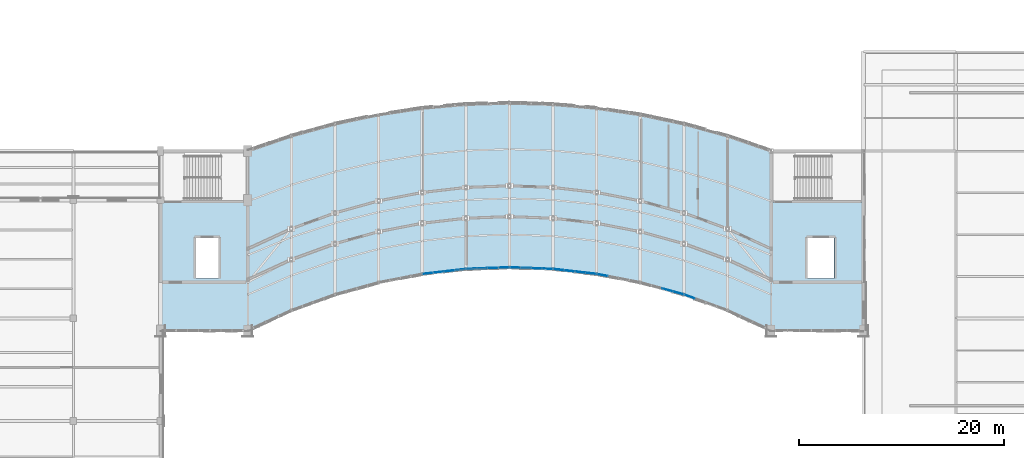
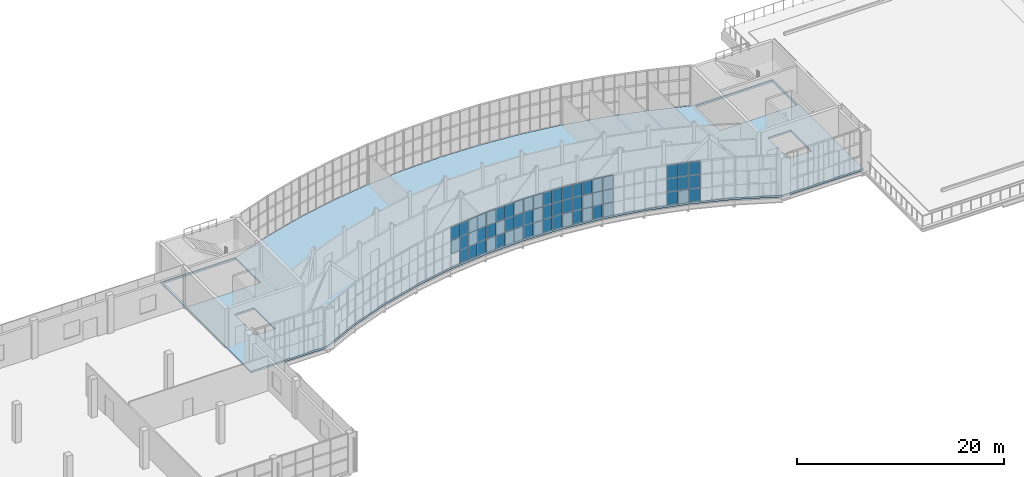
# One storey, part 43 of 66: 59 plates, 1 slab, 7 elements without a shape of their own.
"""IFC4 building model written with IfcOpenShell, lengths in metres."""

from ifc_helpers import new_model, si_unit, direction, frame, origin, origin_2d, place, context, subcontext, project, spatial, polyline, rectangle, outline, extrude, material, layer, layer_set, type_object, element, aggregate, save


model = new_model("IFC4")

# Units and contexts
model_context = context("Model", 3, precision=1e-05, world=origin(), true_north=direction((0.0, 1.0)))
body_context = subcontext(model_context, "Body", "Model", "MODEL_VIEW")
ifc_project = project(units=[si_unit("LENGTHUNIT", "METRE"), si_unit("AREAUNIT", "SQUARE_METRE"), si_unit("VOLUMEUNIT", "CUBIC_METRE"), si_unit("PLANEANGLEUNIT", "RADIAN"), si_unit("MASSUNIT", "GRAM", prefix="KILO")], contexts=[model_context])

# Site, building, storey
site_placement = place(None, origin())
site = spatial("IfcSite", under=ifc_project, at=site_placement, CompositionType="ELEMENT")
building_placement = place(site_placement, origin())
building = spatial("IfcBuilding", under=site, at=building_placement, Name="Solvikara Media Centre", CompositionType="ELEMENT")
storey_placement = place(building_placement, frame((0.0, 0.0, 19.800048828125)))
storey = spatial("IfcBuildingStorey", under=building, at=storey_placement, Name="L04", CompositionType="ELEMENT", Elevation=19.800048828125)

# Curtain wall, plates
ifc_material_1 = material(Name="Anodised aluminium EN AW-6063", Category="aluminium")
curtain_wall_type = type_object("IfcCurtainWallType", Name="CW-01", PredefinedType="NOTDEFINED", material=ifc_material_1)
curtain_wall_1_placement = place(storey_placement, origin())
curtain_wall_1 = element("IfcCurtainWall", 1, at=curtain_wall_1_placement, inside=storey, type_object=curtain_wall_type, Name="CW-L04-SARC-04", PredefinedType="NOTDEFINED")
ifc_material_2 = material(Name="Laminated solar-control cyan vision glass", Category="glass")
ifc_layer_1 = layer(ifc_material_2, 0.035888671875)
ifc_layer_set_1 = layer_set([ifc_layer_1], Name="Laminated solar-control cyan vision glass")
plate_type_1 = type_object("IfcPlateType", Name="PN-01", PredefinedType="CURTAIN_PANEL", material=ifc_layer_set_1)
plate_1_placement = place(storey_placement, frame((94.05810546875, 24.882080078125, 1.62158203125), z_axis=(0.0, 0.0, 1.0), x_axis=(0.993498545066, 0.113844810828, 0.0)))
plate_1 = element("IfcPlate", 2, at=plate_1_placement, type_object=plate_type_1, Name="CW-L04-SARC-04-P0001", PredefinedType="CURTAIN_PANEL", context=body_context, shape_type="SweptSolid", body=[
    extrude(rectangle(XDim=1.02197265625, YDim=0.035888671875, at=origin_2d()), origin(), (0.0, 0.0, 1.0), 1.556884765625),
])
plate_2_placement = place(storey_placement, frame((96.14794921875, 25.12109375, 1.62158203125), z_axis=(0.0, 0.0, 1.0), x_axis=(0.993498545066, 0.113844810828, 0.0)))
plate_2 = element("IfcPlate", 3, at=plate_2_placement, type_object=plate_type_1, Name="CW-L04-SARC-04-P0201", PredefinedType="CURTAIN_PANEL", context=body_context, shape_type="SweptSolid", body=[
    extrude(rectangle(XDim=1.02197265625, YDim=0.035888671875, at=origin_2d()), origin(), (0.0, 0.0, 1.0), 1.556884765625),
])

curtain_wall_2_placement = place(storey_placement, origin())
curtain_wall_2 = element("IfcCurtainWall", 4, at=curtain_wall_2_placement, inside=storey, type_object=curtain_wall_type, Name="CW-L04-SARC-05", PredefinedType="NOTDEFINED")
plate_3_placement = place(storey_placement, frame((100.39697265625, 25.406005859375, 0.03466796875), z_axis=(0.0, 0.0, 1.0), x_axis=(0.999268266619, 0.03824828529, 0.0)))
plate_3 = element("IfcPlate", 5, at=plate_3_placement, type_object=plate_type_1, Name="CW-L04-SARC-05-P0200", PredefinedType="CURTAIN_PANEL", context=body_context, shape_type="SweptSolid", body=[
    extrude(rectangle(XDim=1.01611328125, YDim=0.035888671875, at=origin_2d()), origin(), (0.0, 0.0, 1.0), 1.556884765625),
])
plate_4_placement = place(storey_placement, frame((100.39697265625, 25.406005859375, 1.62158203125), z_axis=(0.0, 0.0, 1.0), x_axis=(0.999268266619, 0.03824828529, 0.0)))
plate_4 = element("IfcPlate", 6, at=plate_4_placement, type_object=plate_type_1, Name="CW-L04-SARC-05-P0201", PredefinedType="CURTAIN_PANEL", context=body_context, shape_type="SweptSolid", body=[
    extrude(rectangle(XDim=1.01611328125, YDim=0.035888671875, at=origin_2d()), origin(), (0.0, 0.0, 1.0), 1.556884765625),
])
plate_5_placement = place(storey_placement, frame((100.39697265625, 25.406005859375, 3.20849609375), z_axis=(0.0, 0.0, 1.0), x_axis=(0.999268266619, 0.03824828529, 0.0)))
plate_5 = element("IfcPlate", 7, at=plate_5_placement, type_object=plate_type_1, Name="CW-L04-SARC-05-P0202", PredefinedType="CURTAIN_PANEL", context=body_context, shape_type="SweptSolid", body=[
    extrude(rectangle(XDim=1.01611328125, YDim=0.035888671875, at=origin_2d()), origin(), (0.0, 0.0, 1.0), 1.556884765625),
])
plate_6_placement = place(storey_placement, frame((101.44189453125, 25.446044921875, 3.20849609375), z_axis=(0.0, 0.0, 1.0), x_axis=(0.999268266619, 0.03824828529, 0.0)))
plate_6 = element("IfcPlate", 8, at=plate_6_placement, type_object=plate_type_1, Name="CW-L04-SARC-05-P0302", PredefinedType="CURTAIN_PANEL", context=body_context, shape_type="SweptSolid", body=[
    extrude(rectangle(XDim=1.01611328125, YDim=0.035888671875, at=origin_2d()), origin(), (0.0, 0.0, 1.0), 1.556884765625),
])

curtain_wall_3_placement = place(storey_placement, origin())
curtain_wall_3 = element("IfcCurtainWall", 9, at=curtain_wall_3_placement, inside=storey, type_object=curtain_wall_type, Name="CW-L04-SARC-06", PredefinedType="NOTDEFINED")
plate_7_placement = place(storey_placement, frame((102.55810546875, 25.446044921875, 3.20849609375), z_axis=(0.0, 0.0, 1.0), x_axis=(0.999268266619, -0.03824828529, 0.0)))
plate_7 = element("IfcPlate", 10, at=plate_7_placement, type_object=plate_type_1, Name="CW-L04-SARC-06-P0002", PredefinedType="CURTAIN_PANEL", context=body_context, shape_type="SweptSolid", body=[
    extrude(rectangle(XDim=1.01611328125, YDim=0.035888671875, at=origin_2d()), origin(), (0.0, 0.0, 1.0), 1.556884765625),
])
plate_8_placement = place(storey_placement, frame((104.64697265625, 25.365966796875, 3.20849609375), z_axis=(0.0, 0.0, 1.0), x_axis=(0.999268266619, -0.03824828529, 0.0)))
plate_8 = element("IfcPlate", 11, at=plate_8_placement, type_object=plate_type_1, Name="CW-L04-SARC-06-P0202", PredefinedType="CURTAIN_PANEL", context=body_context, shape_type="SweptSolid", body=[
    extrude(rectangle(XDim=1.01611328125, YDim=0.035888671875, at=origin_2d()), origin(), (0.0, 0.0, 1.0), 1.556884765625),
])
plate_9_placement = place(storey_placement, frame((105.69189453125, 25.325927734375, 1.62158203125), z_axis=(0.0, 0.0, 1.0), x_axis=(0.999268266619, -0.03824828529, 0.0)))
plate_9 = element("IfcPlate", 12, at=plate_9_placement, type_object=plate_type_1, Name="CW-L04-SARC-06-P0301", PredefinedType="CURTAIN_PANEL", context=body_context, shape_type="SweptSolid", body=[
    extrude(rectangle(XDim=1.01611328125, YDim=0.035888671875, at=origin_2d()), origin(), (0.0, 0.0, 1.0), 1.556884765625),
])

curtain_wall_4_placement = place(storey_placement, origin())
curtain_wall_4 = element("IfcCurtainWall", 13, at=curtain_wall_4_placement, inside=storey, type_object=curtain_wall_type, Name="CW-L04-SARC-07", PredefinedType="NOTDEFINED")
plate_10_placement = place(storey_placement, frame((106.80810546875, 25.240966796875, 0.03466796875), z_axis=(0.0, 0.0, 1.0), x_axis=(0.993498545066, -0.113844810828, 0.0)))
plate_10 = element("IfcPlate", 14, at=plate_10_placement, type_object=plate_type_1, Name="CW-L04-SARC-07-P0000", PredefinedType="CURTAIN_PANEL", context=body_context, shape_type="SweptSolid", body=[
    extrude(rectangle(XDim=1.02197265625, YDim=0.035888671875, at=origin_2d()), origin(), (0.0, 0.0, 1.0), 1.556884765625),
])
plate_11_placement = place(storey_placement, frame((107.85302734375, 25.12109375, 0.03466796875), z_axis=(0.0, 0.0, 1.0), x_axis=(0.993498545066, -0.113844810828, 0.0)))
plate_11 = element("IfcPlate", 15, at=plate_11_placement, type_object=plate_type_1, Name="CW-L04-SARC-07-P0100", PredefinedType="CURTAIN_PANEL", context=body_context, shape_type="SweptSolid", body=[
    extrude(rectangle(XDim=1.02197265625, YDim=0.035888671875, at=origin_2d()), origin(), (0.0, 0.0, 1.0), 1.556884765625),
])
plate_12_placement = place(storey_placement, frame((108.89794921875, 25.001953125, 3.20849609375), z_axis=(0.0, 0.0, 1.0), x_axis=(0.993498545066, -0.113844810828, 0.0)))
plate_12 = element("IfcPlate", 16, at=plate_12_placement, type_object=plate_type_1, Name="CW-L04-SARC-07-P0202", PredefinedType="CURTAIN_PANEL", context=body_context, shape_type="SweptSolid", body=[
    extrude(rectangle(XDim=1.02197265625, YDim=0.035888671875, at=origin_2d()), origin(), (0.0, 0.0, 1.0), 1.556884765625),
])
plate_13_placement = place(storey_placement, frame((109.94189453125, 24.882080078125, 0.03466796875), z_axis=(0.0, 0.0, 1.0), x_axis=(0.993498545066, -0.113844810828, 0.0)))
plate_13 = element("IfcPlate", 17, at=plate_13_placement, type_object=plate_type_1, Name="CW-L04-SARC-07-P0300", PredefinedType="CURTAIN_PANEL", context=body_context, shape_type="SweptSolid", body=[
    extrude(rectangle(XDim=1.02197265625, YDim=0.035888671875, at=origin_2d()), origin(), (0.0, 0.0, 1.0), 1.556884765625),
])
plate_14_placement = place(storey_placement, frame((109.94189453125, 24.882080078125, 3.20849609375), z_axis=(0.0, 0.0, 1.0), x_axis=(0.993498545066, -0.113844810828, 0.0)))
plate_14 = element("IfcPlate", 18, at=plate_14_placement, type_object=plate_type_1, Name="CW-L04-SARC-07-P0302", PredefinedType="CURTAIN_PANEL", context=body_context, shape_type="SweptSolid", body=[
    extrude(rectangle(XDim=1.02197265625, YDim=0.035888671875, at=origin_2d()), origin(), (0.0, 0.0, 1.0), 1.556884765625),
])

curtain_wall_5_placement = place(storey_placement, origin())
curtain_wall_5 = element("IfcCurtainWall", 19, at=curtain_wall_5_placement, inside=storey, type_object=curtain_wall_type, Name="CW-L04-SARC-08", PredefinedType="NOTDEFINED")
plate_15_placement = place(storey_placement, frame((111.055908203125, 24.7099609375, 0.03466796875), z_axis=(0.0, 0.0, 1.0), x_axis=(0.981843017659, -0.189695252114, 0.0)))
plate_15 = element("IfcPlate", 20, at=plate_15_placement, type_object=plate_type_1, Name="CW-L04-SARC-08-P0000", PredefinedType="CURTAIN_PANEL", context=body_context, shape_type="SweptSolid", body=[
    extrude(rectangle(XDim=1.034912109375, YDim=0.035888671875, at=origin_2d()), origin(), (0.0, 0.0, 1.0), 1.556884765625),
])
plate_16_placement = place(storey_placement, frame((111.055908203125, 24.7099609375, 3.20849609375), z_axis=(0.0, 0.0, 1.0), x_axis=(0.981843017659, -0.189695252114, 0.0)))
plate_16 = element("IfcPlate", 21, at=plate_16_placement, type_object=plate_type_1, Name="CW-L04-SARC-08-P0002", PredefinedType="CURTAIN_PANEL", context=body_context, shape_type="SweptSolid", body=[
    extrude(rectangle(XDim=1.034912109375, YDim=0.035888671875, at=origin_2d()), origin(), (0.0, 0.0, 1.0), 1.556884765625),
])

curtain_wall_6_placement = place(storey_placement, origin())
curtain_wall_6 = element("IfcCurtainWall", 22, at=curtain_wall_6_placement, inside=storey, type_object=curtain_wall_type, Name="CW-L04-SARC-09", PredefinedType="NOTDEFINED")
plate_17_placement = place(storey_placement, frame((117.39697265625, 23.26611328125, 3.20849609375), z_axis=(0.0, 0.0, 1.0), x_axis=(0.96397015682, -0.26601040724, 0.0)))
plate_17 = element("IfcPlate", 23, at=plate_17_placement, type_object=plate_type_1, Name="CW-L04-SARC-09-P0202", PredefinedType="CURTAIN_PANEL", context=body_context, shape_type="SweptSolid", body=[
    extrude(rectangle(XDim=1.054931640625, YDim=0.035888671875, at=origin_2d()), origin(), (0.0, 0.0, 1.0), 1.556884765625),
])
plate_18_placement = place(storey_placement, frame((118.443115234375, 22.97705078125, 0.03466796875), z_axis=(0.0, 0.0, 1.0), x_axis=(0.96397015682, -0.26601040724, 0.0)))
plate_18 = element("IfcPlate", 24, at=plate_18_placement, type_object=plate_type_1, Name="CW-L04-SARC-09-P0300", PredefinedType="CURTAIN_PANEL", context=body_context, shape_type="SweptSolid", body=[
    extrude(rectangle(XDim=1.054931640625, YDim=0.035888671875, at=origin_2d()), origin(), (0.0, 0.0, 1.0), 1.556884765625),
])
plate_19_placement = place(storey_placement, frame((118.443115234375, 22.97705078125, 1.62158203125), z_axis=(0.0, 0.0, 1.0), x_axis=(0.96397015682, -0.26601040724, 0.0)))
plate_19 = element("IfcPlate", 25, at=plate_19_placement, type_object=plate_type_1, Name="CW-L04-SARC-09-P0301", PredefinedType="CURTAIN_PANEL", context=body_context, shape_type="SweptSolid", body=[
    extrude(rectangle(XDim=1.054931640625, YDim=0.035888671875, at=origin_2d()), origin(), (0.0, 0.0, 1.0), 1.556884765625),
])

# Curtain wall, plate
curtain_wall_7_placement = place(storey_placement, origin())
curtain_wall_7 = element("IfcCurtainWall", 26, at=curtain_wall_7_placement, inside=storey, type_object=curtain_wall_type, Name="CW-L04-SARC-10", PredefinedType="NOTDEFINED")
plate_20_placement = place(storey_placement, frame((119.555908203125, 22.6220703125, 1.62158203125), z_axis=(0.0, 0.0, 1.0), x_axis=(0.939823877818, -0.341659302058, 0.0)))
plate_20 = element("IfcPlate", 27, at=plate_20_placement, type_object=plate_type_1, Name="CW-L04-SARC-10-P0001", PredefinedType="CURTAIN_PANEL", context=body_context, shape_type="SweptSolid", body=[
    extrude(rectangle(XDim=1.0830078125, YDim=0.035888671875, at=origin_2d()), origin(), (0.0, 0.0, 1.0), 1.556884765625),
])

# Plate
ifc_material_3 = material(Name="Ceramic-fritted teal low-E glass", Category="glass")
ifc_layer_2 = layer(ifc_material_3, 0.0419921875)
ifc_layer_set_2 = layer_set([ifc_layer_2], Name="Ceramic-fritted teal low-E glass")
plate_type_2 = type_object("IfcPlateType", Name="PN-02", PredefinedType="CURTAIN_PANEL", material=ifc_layer_set_2)
plate_21_placement = place(storey_placement, frame((94.05810546875, 24.882080078125, 3.20849609375), z_axis=(0.0, 0.0, 1.0), x_axis=(0.993498545066, 0.113844810828, 0.0)))
plate_21 = element("IfcPlate", 28, at=plate_21_placement, type_object=plate_type_2, Name="CW-L04-SARC-04-P0002", PredefinedType="CURTAIN_PANEL", context=body_context, shape_type="SweptSolid", body=[
    extrude(rectangle(XDim=1.02197265625, YDim=0.0419921875, at=origin_2d()), origin(), (0.0, 0.0, 1.0), 1.556884765625),
])

plate_22_placement = place(storey_placement, frame((95.10302734375, 25.001953125, 0.03466796875), z_axis=(0.0, 0.0, 1.0), x_axis=(0.993498545066, 0.113844810828, 0.0)))
plate_22 = element("IfcPlate", 29, at=plate_22_placement, type_object=plate_type_2, Name="CW-L04-SARC-04-P0100", PredefinedType="CURTAIN_PANEL", context=body_context, shape_type="SweptSolid", body=[
    extrude(rectangle(XDim=1.02197265625, YDim=0.0419921875, at=origin_2d()), origin(), (0.0, 0.0, 1.0), 1.556884765625),
])

plate_23_placement = place(storey_placement, frame((95.10302734375, 25.001953125, 1.62158203125), z_axis=(0.0, 0.0, 1.0), x_axis=(0.993498545066, 0.113844810828, 0.0)))
plate_23 = element("IfcPlate", 30, at=plate_23_placement, type_object=plate_type_2, Name="CW-L04-SARC-04-P0101", PredefinedType="CURTAIN_PANEL", context=body_context, shape_type="SweptSolid", body=[
    extrude(rectangle(XDim=1.02197265625, YDim=0.0419921875, at=origin_2d()), origin(), (0.0, 0.0, 1.0), 1.556884765625),
])

plate_24_placement = place(storey_placement, frame((95.10302734375, 25.001953125, 3.20849609375), z_axis=(0.0, 0.0, 1.0), x_axis=(0.993498545066, 0.113844810828, 0.0)))
plate_24 = element("IfcPlate", 31, at=plate_24_placement, type_object=plate_type_2, Name="CW-L04-SARC-04-P0102", PredefinedType="CURTAIN_PANEL", context=body_context, shape_type="SweptSolid", body=[
    extrude(rectangle(XDim=1.02197265625, YDim=0.0419921875, at=origin_2d()), origin(), (0.0, 0.0, 1.0), 1.556884765625),
])

plate_25_placement = place(storey_placement, frame((96.14794921875, 25.12109375, 3.20849609375), z_axis=(0.0, 0.0, 1.0), x_axis=(0.993498545066, 0.113844810828, 0.0)))
plate_25 = element("IfcPlate", 32, at=plate_25_placement, type_object=plate_type_2, Name="CW-L04-SARC-04-P0202", PredefinedType="CURTAIN_PANEL", context=body_context, shape_type="SweptSolid", body=[
    extrude(rectangle(XDim=1.02197265625, YDim=0.0419921875, at=origin_2d()), origin(), (0.0, 0.0, 1.0), 1.556884765625),
])

plate_26_placement = place(storey_placement, frame((97.19189453125, 25.240966796875, 0.03466796875), z_axis=(0.0, 0.0, 1.0), x_axis=(0.993498545066, 0.113844810828, 0.0)))
plate_26 = element("IfcPlate", 33, at=plate_26_placement, type_object=plate_type_2, Name="CW-L04-SARC-04-P0300", PredefinedType="CURTAIN_PANEL", context=body_context, shape_type="SweptSolid", body=[
    extrude(rectangle(XDim=1.02197265625, YDim=0.0419921875, at=origin_2d()), origin(), (0.0, 0.0, 1.0), 1.556884765625),
])

plate_27_placement = place(storey_placement, frame((97.19189453125, 25.240966796875, 1.62158203125), z_axis=(0.0, 0.0, 1.0), x_axis=(0.993498545066, 0.113844810828, 0.0)))
plate_27 = element("IfcPlate", 34, at=plate_27_placement, type_object=plate_type_2, Name="CW-L04-SARC-04-P0301", PredefinedType="CURTAIN_PANEL", context=body_context, shape_type="SweptSolid", body=[
    extrude(rectangle(XDim=1.02197265625, YDim=0.0419921875, at=origin_2d()), origin(), (0.0, 0.0, 1.0), 1.556884765625),
])

plate_28_placement = place(storey_placement, frame((97.19189453125, 25.240966796875, 3.20849609375), z_axis=(0.0, 0.0, 1.0), x_axis=(0.993498545066, 0.113844810828, 0.0)))
plate_28 = element("IfcPlate", 35, at=plate_28_placement, type_object=plate_type_2, Name="CW-L04-SARC-04-P0302", PredefinedType="CURTAIN_PANEL", context=body_context, shape_type="SweptSolid", body=[
    extrude(rectangle(XDim=1.02197265625, YDim=0.0419921875, at=origin_2d()), origin(), (0.0, 0.0, 1.0), 1.556884765625),
])

plate_29_placement = place(storey_placement, frame((98.30810546875, 25.325927734375, 1.62158203125), z_axis=(0.0, 0.0, 1.0), x_axis=(0.999268266619, 0.03824828529, 0.0)))
plate_29 = element("IfcPlate", 36, at=plate_29_placement, type_object=plate_type_2, Name="CW-L04-SARC-05-P0001", PredefinedType="CURTAIN_PANEL", context=body_context, shape_type="SweptSolid", body=[
    extrude(rectangle(XDim=1.01611328125, YDim=0.0419921875, at=origin_2d()), origin(), (0.0, 0.0, 1.0), 1.556884765625),
])

plate_30_placement = place(storey_placement, frame((98.30810546875, 25.325927734375, 3.20849609375), z_axis=(0.0, 0.0, 1.0), x_axis=(0.999268266619, 0.03824828529, 0.0)))
plate_30 = element("IfcPlate", 37, at=plate_30_placement, type_object=plate_type_2, Name="CW-L04-SARC-05-P0002", PredefinedType="CURTAIN_PANEL", context=body_context, shape_type="SweptSolid", body=[
    extrude(rectangle(XDim=1.01611328125, YDim=0.0419921875, at=origin_2d()), origin(), (0.0, 0.0, 1.0), 1.556884765625),
])

plate_31_placement = place(storey_placement, frame((99.35302734375, 25.365966796875, 1.62158203125), z_axis=(0.0, 0.0, 1.0), x_axis=(0.999268266619, 0.03824828529, 0.0)))
plate_31 = element("IfcPlate", 38, at=plate_31_placement, type_object=plate_type_2, Name="CW-L04-SARC-05-P0101", PredefinedType="CURTAIN_PANEL", context=body_context, shape_type="SweptSolid", body=[
    extrude(rectangle(XDim=1.01611328125, YDim=0.0419921875, at=origin_2d()), origin(), (0.0, 0.0, 1.0), 1.556884765625),
])

plate_32_placement = place(storey_placement, frame((99.35302734375, 25.365966796875, 3.20849609375), z_axis=(0.0, 0.0, 1.0), x_axis=(0.999268266619, 0.03824828529, 0.0)))
plate_32 = element("IfcPlate", 39, at=plate_32_placement, type_object=plate_type_2, Name="CW-L04-SARC-05-P0102", PredefinedType="CURTAIN_PANEL", context=body_context, shape_type="SweptSolid", body=[
    extrude(rectangle(XDim=1.01611328125, YDim=0.0419921875, at=origin_2d()), origin(), (0.0, 0.0, 1.0), 1.556884765625),
])

plate_33_placement = place(storey_placement, frame((101.44189453125, 25.446044921875, 0.03466796875), z_axis=(0.0, 0.0, 1.0), x_axis=(0.999268266619, 0.03824828529, 0.0)))
plate_33 = element("IfcPlate", 40, at=plate_33_placement, type_object=plate_type_2, Name="CW-L04-SARC-05-P0300", PredefinedType="CURTAIN_PANEL", context=body_context, shape_type="SweptSolid", body=[
    extrude(rectangle(XDim=1.01611328125, YDim=0.0419921875, at=origin_2d()), origin(), (0.0, 0.0, 1.0), 1.556884765625),
])

plate_34_placement = place(storey_placement, frame((101.44189453125, 25.446044921875, 1.62158203125), z_axis=(0.0, 0.0, 1.0), x_axis=(0.999268266619, 0.03824828529, 0.0)))
plate_34 = element("IfcPlate", 41, at=plate_34_placement, type_object=plate_type_2, Name="CW-L04-SARC-05-P0301", PredefinedType="CURTAIN_PANEL", context=body_context, shape_type="SweptSolid", body=[
    extrude(rectangle(XDim=1.01611328125, YDim=0.0419921875, at=origin_2d()), origin(), (0.0, 0.0, 1.0), 1.556884765625),
])

plate_35_placement = place(storey_placement, frame((102.55810546875, 25.446044921875, 0.03466796875), z_axis=(0.0, 0.0, 1.0), x_axis=(0.999268266619, -0.03824828529, 0.0)))
plate_35 = element("IfcPlate", 42, at=plate_35_placement, type_object=plate_type_2, Name="CW-L04-SARC-06-P0000", PredefinedType="CURTAIN_PANEL", context=body_context, shape_type="SweptSolid", body=[
    extrude(rectangle(XDim=1.01611328125, YDim=0.0419921875, at=origin_2d()), origin(), (0.0, 0.0, 1.0), 1.556884765625),
])

plate_36_placement = place(storey_placement, frame((102.55810546875, 25.446044921875, 1.62158203125), z_axis=(0.0, 0.0, 1.0), x_axis=(0.999268266619, -0.03824828529, 0.0)))
plate_36 = element("IfcPlate", 43, at=plate_36_placement, type_object=plate_type_2, Name="CW-L04-SARC-06-P0001", PredefinedType="CURTAIN_PANEL", context=body_context, shape_type="SweptSolid", body=[
    extrude(rectangle(XDim=1.01611328125, YDim=0.0419921875, at=origin_2d()), origin(), (0.0, 0.0, 1.0), 1.556884765625),
])

plate_37_placement = place(storey_placement, frame((103.60302734375, 25.406005859375, 0.03466796875), z_axis=(0.0, 0.0, 1.0), x_axis=(0.999268266619, -0.03824828529, 0.0)))
plate_37 = element("IfcPlate", 44, at=plate_37_placement, type_object=plate_type_2, Name="CW-L04-SARC-06-P0100", PredefinedType="CURTAIN_PANEL", context=body_context, shape_type="SweptSolid", body=[
    extrude(rectangle(XDim=1.01611328125, YDim=0.0419921875, at=origin_2d()), origin(), (0.0, 0.0, 1.0), 1.556884765625),
])

plate_38_placement = place(storey_placement, frame((103.60302734375, 25.406005859375, 3.20849609375), z_axis=(0.0, 0.0, 1.0), x_axis=(0.999268266619, -0.03824828529, 0.0)))
plate_38 = element("IfcPlate", 45, at=plate_38_placement, type_object=plate_type_2, Name="CW-L04-SARC-06-P0102", PredefinedType="CURTAIN_PANEL", context=body_context, shape_type="SweptSolid", body=[
    extrude(rectangle(XDim=1.01611328125, YDim=0.0419921875, at=origin_2d()), origin(), (0.0, 0.0, 1.0), 1.556884765625),
])

plate_39_placement = place(storey_placement, frame((104.64697265625, 25.365966796875, 0.03466796875), z_axis=(0.0, 0.0, 1.0), x_axis=(0.999268266619, -0.03824828529, 0.0)))
plate_39 = element("IfcPlate", 46, at=plate_39_placement, type_object=plate_type_2, Name="CW-L04-SARC-06-P0200", PredefinedType="CURTAIN_PANEL", context=body_context, shape_type="SweptSolid", body=[
    extrude(rectangle(XDim=1.01611328125, YDim=0.0419921875, at=origin_2d()), origin(), (0.0, 0.0, 1.0), 1.556884765625),
])

plate_40_placement = place(storey_placement, frame((104.64697265625, 25.365966796875, 1.62158203125), z_axis=(0.0, 0.0, 1.0), x_axis=(0.999268266619, -0.03824828529, 0.0)))
plate_40 = element("IfcPlate", 47, at=plate_40_placement, type_object=plate_type_2, Name="CW-L04-SARC-06-P0201", PredefinedType="CURTAIN_PANEL", context=body_context, shape_type="SweptSolid", body=[
    extrude(rectangle(XDim=1.01611328125, YDim=0.0419921875, at=origin_2d()), origin(), (0.0, 0.0, 1.0), 1.556884765625),
])

plate_41_placement = place(storey_placement, frame((105.69189453125, 25.325927734375, 0.03466796875), z_axis=(0.0, 0.0, 1.0), x_axis=(0.999268266619, -0.03824828529, 0.0)))
plate_41 = element("IfcPlate", 48, at=plate_41_placement, type_object=plate_type_2, Name="CW-L04-SARC-06-P0300", PredefinedType="CURTAIN_PANEL", context=body_context, shape_type="SweptSolid", body=[
    extrude(rectangle(XDim=1.01611328125, YDim=0.0419921875, at=origin_2d()), origin(), (0.0, 0.0, 1.0), 1.556884765625),
])

plate_42_placement = place(storey_placement, frame((105.69189453125, 25.325927734375, 3.20849609375), z_axis=(0.0, 0.0, 1.0), x_axis=(0.999268266619, -0.03824828529, 0.0)))
plate_42 = element("IfcPlate", 49, at=plate_42_placement, type_object=plate_type_2, Name="CW-L04-SARC-06-P0302", PredefinedType="CURTAIN_PANEL", context=body_context, shape_type="SweptSolid", body=[
    extrude(rectangle(XDim=1.01611328125, YDim=0.0419921875, at=origin_2d()), origin(), (0.0, 0.0, 1.0), 1.556884765625),
])

plate_43_placement = place(storey_placement, frame((106.80810546875, 25.240966796875, 1.62158203125), z_axis=(0.0, 0.0, 1.0), x_axis=(0.993498545066, -0.113844810828, 0.0)))
plate_43 = element("IfcPlate", 50, at=plate_43_placement, type_object=plate_type_2, Name="CW-L04-SARC-07-P0001", PredefinedType="CURTAIN_PANEL", context=body_context, shape_type="SweptSolid", body=[
    extrude(rectangle(XDim=1.02197265625, YDim=0.0419921875, at=origin_2d()), origin(), (0.0, 0.0, 1.0), 1.556884765625),
])

plate_44_placement = place(storey_placement, frame((107.85302734375, 25.12109375, 1.62158203125), z_axis=(0.0, 0.0, 1.0), x_axis=(0.993498545066, -0.113844810828, 0.0)))
plate_44 = element("IfcPlate", 51, at=plate_44_placement, type_object=plate_type_2, Name="CW-L04-SARC-07-P0101", PredefinedType="CURTAIN_PANEL", context=body_context, shape_type="SweptSolid", body=[
    extrude(rectangle(XDim=1.02197265625, YDim=0.0419921875, at=origin_2d()), origin(), (0.0, 0.0, 1.0), 1.556884765625),
])

plate_45_placement = place(storey_placement, frame((108.89794921875, 25.001953125, 0.03466796875), z_axis=(0.0, 0.0, 1.0), x_axis=(0.993498545066, -0.113844810828, 0.0)))
plate_45 = element("IfcPlate", 52, at=plate_45_placement, type_object=plate_type_2, Name="CW-L04-SARC-07-P0200", PredefinedType="CURTAIN_PANEL", context=body_context, shape_type="SweptSolid", body=[
    extrude(rectangle(XDim=1.02197265625, YDim=0.0419921875, at=origin_2d()), origin(), (0.0, 0.0, 1.0), 1.556884765625),
])

plate_46_placement = place(storey_placement, frame((117.39697265625, 23.26611328125, 0.03466796875), z_axis=(0.0, 0.0, 1.0), x_axis=(0.96397015682, -0.26601040724, 0.0)))
plate_46 = element("IfcPlate", 53, at=plate_46_placement, type_object=plate_type_2, Name="CW-L04-SARC-09-P0200", PredefinedType="CURTAIN_PANEL", context=body_context, shape_type="SweptSolid", body=[
    extrude(rectangle(XDim=1.054931640625, YDim=0.0419921875, at=origin_2d()), origin(), (0.0, 0.0, 1.0), 1.556884765625),
])

plate_47_placement = place(storey_placement, frame((117.39697265625, 23.26611328125, 1.62158203125), z_axis=(0.0, 0.0, 1.0), x_axis=(0.96397015682, -0.26601040724, 0.0)))
plate_47 = element("IfcPlate", 54, at=plate_47_placement, type_object=plate_type_2, Name="CW-L04-SARC-09-P0201", PredefinedType="CURTAIN_PANEL", context=body_context, shape_type="SweptSolid", body=[
    extrude(rectangle(XDim=1.054931640625, YDim=0.0419921875, at=origin_2d()), origin(), (0.0, 0.0, 1.0), 1.556884765625),
])

plate_48_placement = place(storey_placement, frame((119.555908203125, 22.6220703125, 0.03466796875), z_axis=(0.0, 0.0, 1.0), x_axis=(0.939823877818, -0.341659302058, 0.0)))
plate_48 = element("IfcPlate", 55, at=plate_48_placement, type_object=plate_type_2, Name="CW-L04-SARC-10-P0000", PredefinedType="CURTAIN_PANEL", context=body_context, shape_type="SweptSolid", body=[
    extrude(rectangle(XDim=1.0830078125, YDim=0.0419921875, at=origin_2d()), origin(), (0.0, 0.0, 1.0), 1.556884765625),
])

ifc_material_4 = material(Name="Insulated silver-pearl glass spandrel panel", Category="glass")
ifc_layer_3 = layer(ifc_material_4, 0.054931640625)
ifc_layer_set_3 = layer_set([ifc_layer_3], Name="Insulated silver-pearl glass spandrel panel")
plate_type_3 = type_object("IfcPlateType", Name="PN-03", PredefinedType="CURTAIN_PANEL", material=ifc_layer_set_3)
plate_49_placement = place(storey_placement, frame((96.14794921875, 25.12109375, 0.03466796875), z_axis=(0.0, 0.0, 1.0), x_axis=(0.993498545066, 0.113844810828, 0.0)))
plate_49 = element("IfcPlate", 56, at=plate_49_placement, type_object=plate_type_3, Name="CW-L04-SARC-04-P0200", PredefinedType="CURTAIN_PANEL", context=body_context, shape_type="SweptSolid", body=[
    extrude(rectangle(XDim=1.02197265625, YDim=0.054931640625, at=origin_2d()), origin(), (0.0, 0.0, 1.0), 1.556884765625),
])

aggregate(curtain_wall_1, [plate_1, plate_21, plate_22, plate_23, plate_24, plate_49, plate_2, plate_25, plate_26, plate_27, plate_28])

plate_50_placement = place(storey_placement, frame((98.30810546875, 25.325927734375, 0.03466796875), z_axis=(0.0, 0.0, 1.0), x_axis=(0.999268266619, 0.03824828529, 0.0)))
plate_50 = element("IfcPlate", 57, at=plate_50_placement, type_object=plate_type_3, Name="CW-L04-SARC-05-P0000", PredefinedType="CURTAIN_PANEL", context=body_context, shape_type="SweptSolid", body=[
    extrude(rectangle(XDim=1.01611328125, YDim=0.054931640625, at=origin_2d()), origin(), (0.0, 0.0, 1.0), 1.556884765625),
])

plate_51_placement = place(storey_placement, frame((99.35302734375, 25.365966796875, 0.03466796875), z_axis=(0.0, 0.0, 1.0), x_axis=(0.999268266619, 0.03824828529, 0.0)))
plate_51 = element("IfcPlate", 58, at=plate_51_placement, type_object=plate_type_3, Name="CW-L04-SARC-05-P0100", PredefinedType="CURTAIN_PANEL", context=body_context, shape_type="SweptSolid", body=[
    extrude(rectangle(XDim=1.01611328125, YDim=0.054931640625, at=origin_2d()), origin(), (0.0, 0.0, 1.0), 1.556884765625),
])

aggregate(curtain_wall_2, [plate_50, plate_29, plate_30, plate_51, plate_31, plate_32, plate_3, plate_4, plate_5, plate_33, plate_34, plate_6])

plate_52_placement = place(storey_placement, frame((103.60302734375, 25.406005859375, 1.62158203125), z_axis=(0.0, 0.0, 1.0), x_axis=(0.999268266619, -0.03824828529, 0.0)))
plate_52 = element("IfcPlate", 59, at=plate_52_placement, type_object=plate_type_3, Name="CW-L04-SARC-06-P0101", PredefinedType="CURTAIN_PANEL", context=body_context, shape_type="SweptSolid", body=[
    extrude(rectangle(XDim=1.01611328125, YDim=0.054931640625, at=origin_2d()), origin(), (0.0, 0.0, 1.0), 1.556884765625),
])

aggregate(curtain_wall_3, [plate_35, plate_36, plate_7, plate_37, plate_52, plate_38, plate_39, plate_40, plate_8, plate_41, plate_9, plate_42])

plate_53_placement = place(storey_placement, frame((106.80810546875, 25.240966796875, 3.20849609375), z_axis=(0.0, 0.0, 1.0), x_axis=(0.993498545066, -0.113844810828, 0.0)))
plate_53 = element("IfcPlate", 60, at=plate_53_placement, type_object=plate_type_3, Name="CW-L04-SARC-07-P0002", PredefinedType="CURTAIN_PANEL", context=body_context, shape_type="SweptSolid", body=[
    extrude(rectangle(XDim=1.02197265625, YDim=0.054931640625, at=origin_2d()), origin(), (0.0, 0.0, 1.0), 1.556884765625),
])

plate_54_placement = place(storey_placement, frame((107.85302734375, 25.12109375, 3.20849609375), z_axis=(0.0, 0.0, 1.0), x_axis=(0.993498545066, -0.113844810828, 0.0)))
plate_54 = element("IfcPlate", 61, at=plate_54_placement, type_object=plate_type_3, Name="CW-L04-SARC-07-P0102", PredefinedType="CURTAIN_PANEL", context=body_context, shape_type="SweptSolid", body=[
    extrude(rectangle(XDim=1.02197265625, YDim=0.054931640625, at=origin_2d()), origin(), (0.0, 0.0, 1.0), 1.556884765625),
])

plate_55_placement = place(storey_placement, frame((108.89794921875, 25.001953125, 1.62158203125), z_axis=(0.0, 0.0, 1.0), x_axis=(0.993498545066, -0.113844810828, 0.0)))
plate_55 = element("IfcPlate", 62, at=plate_55_placement, type_object=plate_type_3, Name="CW-L04-SARC-07-P0201", PredefinedType="CURTAIN_PANEL", context=body_context, shape_type="SweptSolid", body=[
    extrude(rectangle(XDim=1.02197265625, YDim=0.054931640625, at=origin_2d()), origin(), (0.0, 0.0, 1.0), 1.556884765625),
])

plate_56_placement = place(storey_placement, frame((109.94189453125, 24.882080078125, 1.62158203125), z_axis=(0.0, 0.0, 1.0), x_axis=(0.993498545066, -0.113844810828, 0.0)))
plate_56 = element("IfcPlate", 63, at=plate_56_placement, type_object=plate_type_3, Name="CW-L04-SARC-07-P0301", PredefinedType="CURTAIN_PANEL", context=body_context, shape_type="SweptSolid", body=[
    extrude(rectangle(XDim=1.02197265625, YDim=0.054931640625, at=origin_2d()), origin(), (0.0, 0.0, 1.0), 1.556884765625),
])

aggregate(curtain_wall_4, [plate_10, plate_43, plate_53, plate_11, plate_44, plate_54, plate_45, plate_55, plate_12, plate_13, plate_56, plate_14])

plate_57_placement = place(storey_placement, frame((111.055908203125, 24.7099609375, 1.62158203125), z_axis=(0.0, 0.0, 1.0), x_axis=(0.981843017659, -0.189695252114, 0.0)))
plate_57 = element("IfcPlate", 64, at=plate_57_placement, type_object=plate_type_3, Name="CW-L04-SARC-08-P0001", PredefinedType="CURTAIN_PANEL", context=body_context, shape_type="SweptSolid", body=[
    extrude(rectangle(XDim=1.034912109375, YDim=0.054931640625, at=origin_2d()), origin(), (0.0, 0.0, 1.0), 1.556884765625),
])

aggregate(curtain_wall_5, [plate_15, plate_57, plate_16])

plate_58_placement = place(storey_placement, frame((118.443115234375, 22.97705078125, 3.20849609375), z_axis=(0.0, 0.0, 1.0), x_axis=(0.96397015682, -0.26601040724, 0.0)))
plate_58 = element("IfcPlate", 65, at=plate_58_placement, type_object=plate_type_3, Name="CW-L04-SARC-09-P0302", PredefinedType="CURTAIN_PANEL", context=body_context, shape_type="SweptSolid", body=[
    extrude(rectangle(XDim=1.054931640625, YDim=0.054931640625, at=origin_2d()), origin(), (0.0, 0.0, 1.0), 1.556884765625),
])

aggregate(curtain_wall_6, [plate_46, plate_47, plate_17, plate_18, plate_19, plate_58])

plate_59_placement = place(storey_placement, frame((119.555908203125, 22.6220703125, 3.20849609375), z_axis=(0.0, 0.0, 1.0), x_axis=(0.939823877818, -0.341659302058, 0.0)))
plate_59 = element("IfcPlate", 66, at=plate_59_placement, type_object=plate_type_3, Name="CW-L04-SARC-10-P0002", PredefinedType="CURTAIN_PANEL", context=body_context, shape_type="SweptSolid", body=[
    extrude(rectangle(XDim=1.0830078125, YDim=0.054931640625, at=origin_2d()), origin(), (0.0, 0.0, 1.0), 1.556884765625),
])

aggregate(curtain_wall_7, [plate_48, plate_20, plate_59])

# Slab
ifc_material_5 = material(Name="Concrete fc' 35 MPa (C35/45)", Category="concrete")
ifc_layer_4 = layer(ifc_material_5, 0.219970703125)
ifc_layer_set_4 = layer_set([ifc_layer_4], Name="Concrete fc' 35 MPa (C35/45)")
slab_type = type_object("IfcSlabType", Name="ST-08", PredefinedType="FLOOR", material=ifc_layer_set_4)
slab_placement = place(storey_placement, frame((0.0, 0.0, -0.219970703125)))
element("IfcSlab", 67, at=slab_placement, inside=storey, type_object=slab_type, Name="SL-L04-V7", PredefinedType="FLOOR", context=body_context, shape_type="SweptSolid", body=[
    extrude(outline(polyline([(68.0, 19.323974609375), (76.5, 19.323974609375), (80.75, 21.279052734375), (85.0, 22.823974609375), (89.25, 23.99609375), (93.5, 24.818115234375), (97.75, 25.304931640625), (102.0, 25.467041015625), (106.25, 25.304931640625), (110.5, 24.818115234375), (114.75, 23.99609375), (119.0, 22.823974609375), (123.25, 21.279052734375), (127.5, 19.323974609375), (136.5, 19.323974609375), (136.5, 36.800048828125), (127.5, 36.800048828125), (123.25, 38.260009765625), (119.0, 39.430908203125), (114.75, 40.3291015625), (110.5, 40.964111328125), (106.25, 41.341064453125), (102.0, 41.467041015625), (97.75, 41.341064453125), (93.5, 40.964111328125), (89.25, 40.3291015625), (85.0, 39.430908203125), (80.75, 38.260009765625), (76.5, 36.800048828125), (68.0, 36.800048828125), (68.0, 19.323974609375)]), holes=[polyline([(68.179931640625, 31.85009765625), (76.320068359375, 31.85009765625), (76.320068359375, 36.6201171875), (68.179931640625, 36.6201171875), (68.179931640625, 31.85009765625)]), polyline([(71.449951171875, 24.39990234375), (73.64990234375, 24.39990234375), (73.64990234375, 28.449951171875), (71.449951171875, 28.449951171875), (71.449951171875, 24.39990234375)]), polyline([(127.679931640625, 31.85009765625), (136.320068359375, 31.85009765625), (136.320068359375, 36.6201171875), (127.679931640625, 36.6201171875), (127.679931640625, 31.85009765625)]), polyline([(131.050048828125, 24.39990234375), (133.64990234375, 24.39990234375), (133.64990234375, 28.449951171875), (131.050048828125, 28.449951171875), (131.050048828125, 24.39990234375)])]), origin(), (0.0, 0.0, 1.0), 0.219970703125),
])

save(model, "model.ifc")
